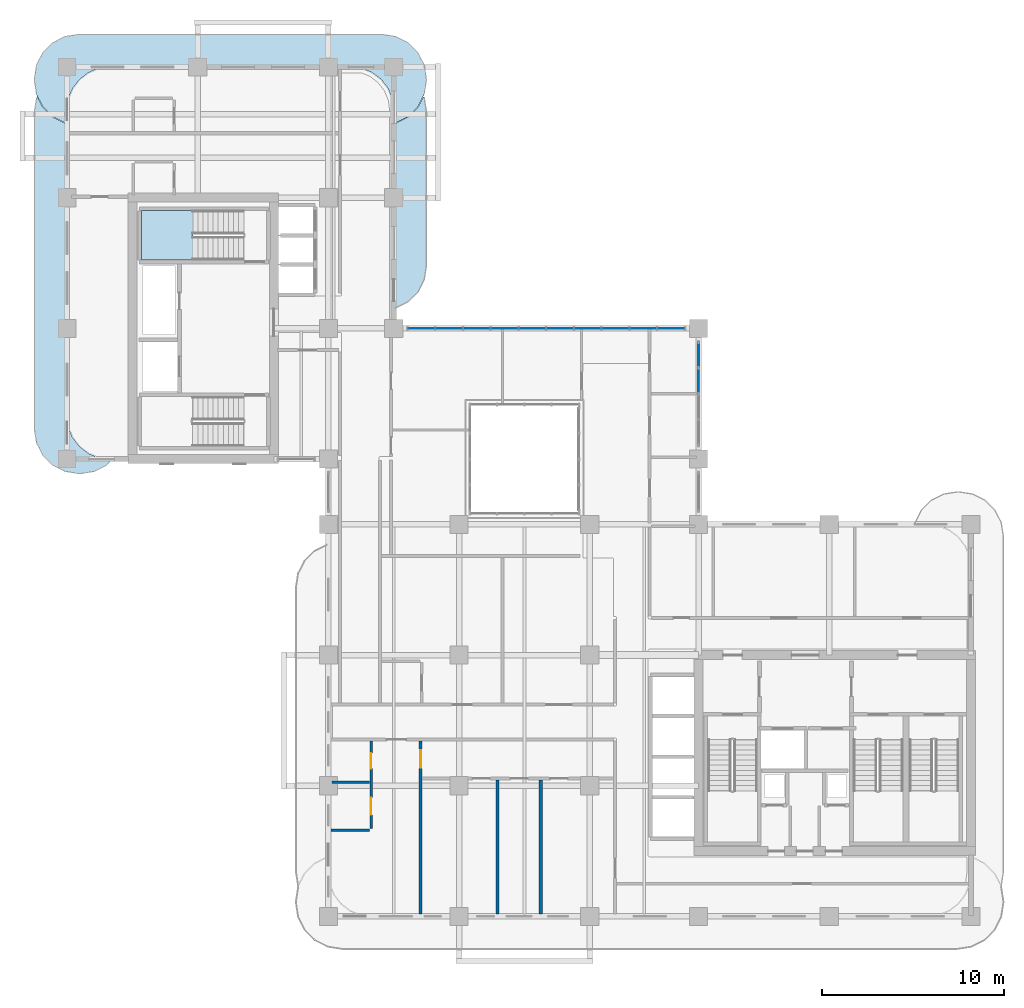
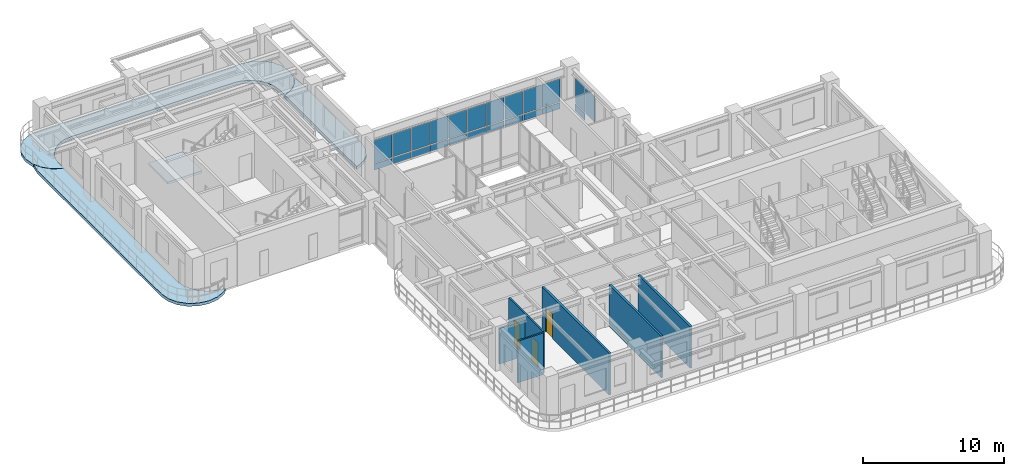
# One storey, part 10 of 20: 23 plates, 6 walls, 4 slabs, 3 doors, 3 openings, 3 elements without a shape of their own.
"""IFC4 building model written with IfcOpenShell, lengths in metres."""

from ifc_helpers import new_model, si_unit, derived_unit, direction, frame, frame_2d, origin, origin_2d, place, context, subcontext, project, spatial, polyline, rectangle, outline, extrude, source, transform, mapped, material, layer, layer_set, type_object, type_shapes, element, fill, aggregate, save


model = new_model("IFC4")

# Units and contexts
model_context = context("Model", 3, precision=1e-05, world=origin(), true_north=direction((0.0, 1.0)))
body_context = subcontext(model_context, "Body", "Model", "MODEL_VIEW")
ifc_project = project(units=[si_unit("LENGTHUNIT", "METRE"), si_unit("AREAUNIT", "SQUARE_METRE"), si_unit("VOLUMEUNIT", "CUBIC_METRE"), si_unit("PLANEANGLEUNIT", "RADIAN"), si_unit("MASSUNIT", "GRAM", prefix="KILO"), si_unit("THERMODYNAMICTEMPERATUREUNIT", "KELVIN"), si_unit("POWERUNIT", "WATT"), derived_unit("THERMALTRANSMITTANCEUNIT", [(si_unit("POWERUNIT", "WATT"), 1), (si_unit("AREAUNIT", "SQUARE_METRE"), -1), (si_unit("THERMODYNAMICTEMPERATUREUNIT", "KELVIN"), -1)])], contexts=[model_context])

# Site, building, storey
site_placement = place(None, origin())
site = spatial("IfcSite", under=ifc_project, at=site_placement, CompositionType="ELEMENT")
building_placement = place(site_placement, origin())
building = spatial("IfcBuilding", under=site, at=building_placement, Name="Zahravan Archway Hotel and Residences", CompositionType="ELEMENT")
storey_placement = place(building_placement, frame((0.0, 0.0, 173.39990234375)))
storey = spatial("IfcBuildingStorey", under=building, at=storey_placement, Name="L43", CompositionType="ELEMENT", Elevation=173.39990234375)

# Slabs
ifc_material_1 = material(Name="Concrete C45/55", Category="concrete")
ifc_layer_1 = layer(ifc_material_1, 0.25, Name="Concrete C45/55", Category="concrete")
ifc_layer_set_1 = layer_set([ifc_layer_1], Name="Concrete C45/55")
slab_type_1 = type_object("IfcSlabType", Name="SLB-BALC-250", PredefinedType="FLOOR", material=ifc_layer_set_1)
slab_1_placement = place(storey_placement, frame((0.0, 0.0, -0.25)))
element("IfcSlab", 1, at=slab_1_placement, inside=storey, type_object=slab_type_1, Name="L43 Wing B North Rounded Balcony Band", PredefinedType="FLOOR", context=body_context, shape_type="SweptSolid", body=[
    extrude(outline(polyline([(-0.107177734375, 43.719970703125), (-0.7900390625, 44.06787109375), (-1.33203125, 44.60986328125), (-1.68017578125, 45.29296875), (-1.800048828125, 46.050048828125), (-1.800048828125, 46.14990234375), (-1.68017578125, 46.906982421875), (-1.33203125, 47.590087890625), (-0.7900390625, 48.132080078125), (-0.107177734375, 48.47998046875), (0.64990234375, 48.60009765625), (17.35009765625, 48.60009765625), (18.107177734375, 48.47998046875), (18.7900390625, 48.132080078125), (19.33203125, 47.590087890625), (19.68017578125, 46.906982421875), (19.800048828125, 46.14990234375), (19.800048828125, 46.050048828125), (19.68017578125, 45.29296875), (19.33203125, 44.60986328125), (18.7900390625, 44.06787109375), (18.107177734375, 43.719970703125), (18.02001953125, 43.7060546875), (18.02001953125, 44.39990234375), (18.019775390625, 44.402587890625), (17.93798828125, 45.023681640625), (17.937744140625, 45.025390625), (17.937255859375, 45.027099609375), (17.936767578125, 45.02880859375), (17.697021484375, 45.607666015625), (17.6962890625, 45.609130859375), (17.6953125, 45.610595703125), (17.6943359375, 45.6123046875), (17.31298828125, 46.109375), (17.311767578125, 46.110595703125), (17.310546875, 46.11181640625), (17.309326171875, 46.113037109375), (16.812255859375, 46.494384765625), (16.810791015625, 46.495361328125), (16.80908203125, 46.49609375), (16.8076171875, 46.4970703125), (16.22900390625, 46.73681640625), (16.227294921875, 46.7373046875), (16.2255859375, 46.73779296875), (16.223876953125, 46.738037109375), (15.6025390625, 46.81982421875), (15.60009765625, 46.820068359375), (2.39990234375, 46.820068359375), (2.3974609375, 46.81982421875), (1.776123046875, 46.738037109375), (1.7744140625, 46.73779296875), (1.772705078125, 46.7373046875), (1.77099609375, 46.73681640625), (1.1923828125, 46.4970703125), (1.19091796875, 46.49609375), (1.189208984375, 46.495361328125), (1.187744140625, 46.494384765625), (0.690673828125, 46.113037109375), (0.689453125, 46.11181640625), (0.688232421875, 46.110595703125), (0.68701171875, 46.109375), (0.3056640625, 45.6123046875), (0.3046875, 45.610595703125), (0.3037109375, 45.609130859375), (0.302978515625, 45.607666015625), (0.063232421875, 45.02880859375), (0.062744140625, 45.027099609375), (0.062255859375, 45.025390625), (0.06201171875, 45.023681640625), (-0.019775390625, 44.402587890625), (-0.02001953125, 44.39990234375), (-0.02001953125, 43.7060546875), (-0.107177734375, 43.719970703125)])), origin(), (0.0, 0.0, 1.0), 0.25),
])
slab_2_placement = place(storey_placement, frame((0.0, 0.0, -0.25)))
element("IfcSlab", 2, at=slab_2_placement, inside=storey, type_object=slab_type_1, Name="L43 Wing B West Rounded Balcony Band", PredefinedType="FLOOR", context=body_context, shape_type="SweptSolid", body=[
    extrude(outline(polyline([(2.190185546875, 24.867919921875), (1.507080078125, 24.52001953125), (0.75, 24.39990234375), (0.64990234375, 24.39990234375), (-0.107177734375, 24.52001953125), (-0.7900390625, 24.867919921875), (-1.33203125, 25.409912109375), (-1.68017578125, 26.093017578125), (-1.800048828125, 26.85009765625), (-1.800048828125, 44.35009765625), (-1.68017578125, 45.107177734375), (-1.64404296875, 45.177978515625), (-1.349853515625, 44.600830078125), (-1.348876953125, 44.59912109375), (-1.34765625, 44.597412109375), (-1.34619140625, 44.595703125), (-0.80419921875, 44.0537109375), (-0.802734375, 44.052490234375), (-0.801025390625, 44.051025390625), (-0.79931640625, 44.050048828125), (-0.1162109375, 43.7021484375), (-0.1142578125, 43.701171875), (-0.1123046875, 43.70068359375), (-0.110107421875, 43.7001953125), (-0.023193359375, 43.686279296875), (-0.021240234375, 43.68603515625), (-0.02001953125, 43.68603515625), (-0.02001953125, 27.60009765625), (-0.019775390625, 27.597412109375), (0.06201171875, 26.976318359375), (0.062255859375, 26.974609375), (0.062744140625, 26.972900390625), (0.063232421875, 26.97119140625), (0.302978515625, 26.392333984375), (0.3037109375, 26.390869140625), (0.3046875, 26.389404296875), (0.3056640625, 26.3876953125), (0.68701171875, 25.890625), (0.688232421875, 25.889404296875), (0.689453125, 25.88818359375), (0.690673828125, 25.886962890625), (1.187744140625, 25.505615234375), (1.189208984375, 25.504638671875), (1.19091796875, 25.50390625), (1.1923828125, 25.5029296875), (1.77099609375, 25.26318359375), (1.772705078125, 25.2626953125), (1.7744140625, 25.26220703125), (1.776123046875, 25.261962890625), (2.3974609375, 25.18017578125), (2.39990234375, 25.179931640625), (2.502197265625, 25.179931640625), (2.190185546875, 24.867919921875)])), origin(), (0.0, 0.0, 1.0), 0.25),
])
slab_3_placement = place(storey_placement, frame((0.0, 0.0, -0.25)))
element("IfcSlab", 3, at=slab_3_placement, inside=storey, type_object=slab_type_1, Name="L43 Wing B East Rounded Balcony Band", PredefinedType="FLOOR", context=body_context, shape_type="SweptSolid", body=[
    extrude(outline(polyline([(19.68017578125, 45.107177734375), (19.800048828125, 44.35009765625), (19.800048828125, 35.85009765625), (19.68017578125, 35.093017578125), (19.33203125, 34.409912109375), (18.7900390625, 33.867919921875), (18.107177734375, 33.52001953125), (18.02001953125, 33.506103515625), (18.02001953125, 43.68603515625), (18.021240234375, 43.68603515625), (18.023193359375, 43.686279296875), (18.110107421875, 43.7001953125), (18.1123046875, 43.70068359375), (18.1142578125, 43.701171875), (18.1162109375, 43.7021484375), (18.79931640625, 44.050048828125), (18.801025390625, 44.051025390625), (18.802734375, 44.052490234375), (18.80419921875, 44.0537109375), (19.34619140625, 44.595703125), (19.34765625, 44.597412109375), (19.348876953125, 44.59912109375), (19.349853515625, 44.600830078125), (19.64404296875, 45.177978515625), (19.68017578125, 45.107177734375)])), origin(), (0.0, 0.0, 1.0), 0.25),
])

# Stair, slab
ifc_material_2 = material(Name="Concrete C50/60", Category="concrete")
stair_type = type_object("IfcStairType", Name="STR-CORE-1300", PredefinedType="HALF_TURN_STAIR", material=ifc_material_2)
stair_placement = place(storey_placement, origin())
stair = element("IfcStair", 4, at=stair_placement, inside=storey, type_object=stair_type, Name="L43 Core B Exit Stair 2", PredefinedType="HALF_TURN_STAIR")
ifc_layer_2 = layer(ifc_material_2, 0.199951171875, Name="Concrete C50/60", Category="concrete")
ifc_layer_set_2 = layer_set([ifc_layer_2], Name="Concrete C50/60")
slab_type_2 = type_object("IfcSlabType", Name="SLB-LND-200", PredefinedType="LANDING", material=ifc_layer_set_2)
slab_4_placement = place(storey_placement, frame((0.0, 0.0, 1.72509765625)))
slab_4 = element("IfcSlab", 5, at=slab_4_placement, type_object=slab_type_2, Name="ST-B2 landing 1", PredefinedType="LANDING", context=body_context, shape_type="SweptSolid", body=[
    extrude(outline(polyline([(6.929931640625, 38.89990234375), (4.10009765625, 38.89990234375), (4.10009765625, 36.159912109375), (6.929931640625, 36.159912109375), (6.929931640625, 38.89990234375)])), origin(), (0.0, 0.0, 1.0), 0.199951171875),
])
aggregate(stair, [slab_4])

# Curtain wall, plates
ifc_material_3 = material(Name="Bronze-Anodized Unitised Aluminium & Low-E Glass", Category="aluminium")
ifc_layer_3 = layer(ifc_material_3, 0.179931640625, Name="Bronze-Anodized Unitised Aluminium & Low-E Glass", Category="aluminium")
ifc_layer_set_3 = layer_set([ifc_layer_3], Name="Bronze-Anodized Unitised Aluminium & Low-E Glass")
curtain_wall_type = type_object("IfcCurtainWallType", Name="CW-ATR-GLAZ", PredefinedType="NOTDEFINED", material=ifc_layer_set_3)
curtain_wall_1_placement = place(storey_placement, origin())
curtain_wall_1 = element("IfcCurtainWall", 6, at=curtain_wall_1_placement, inside=storey, type_object=curtain_wall_type, Name="L43 Curtain Wall CW-L43-HNG-N-1", PredefinedType="NOTDEFINED")
ifc_material_4 = material(Name="Insulated Terracotta Spandrel Panel", Category="masonry")
ifc_layer_4 = layer(ifc_material_4, 0.0400390625, Name="Insulated Terracotta Spandrel Panel", Category="masonry")
ifc_layer_set_4 = layer_set([ifc_layer_4], Name="Insulated Terracotta Spandrel Panel")
plate_type_1 = type_object("IfcPlateType", Name="CWP-SPN-40", PredefinedType="SHEET", material=ifc_layer_set_4)
shared_shape_1 = source(origin(), body_context, "Body", "SweptSolid", [
    extrude(rectangle(XDim=1.447998046875, YDim=0.0400390625, at=origin_2d()), origin(), (0.0, 0.0, 1.0), 0.5283203125),
])
plate_1_placement = place(storey_placement, frame((19.52392578125, 32.39990234375, 0.10009765625), z_axis=(0.0, 0.0, 1.0), x_axis=(1.0, 0.0, 0.0)))
plate_1 = element("IfcPlate", 7, at=plate_1_placement, type_object=plate_type_1, Name="CW-L43-HNG-N-1 Spandrel Panel 0", PredefinedType="SHEET", context=body_context, shape_type="MappedRepresentation", body=[
    mapped(shared_shape_1, transform((0.0, 0.0, 0.0), scale=1.0)),
])
plate_2_placement = place(storey_placement, frame((21.052001953125, 32.39990234375, 0.10009765625), z_axis=(0.0, 0.0, 1.0), x_axis=(1.0, 0.0, 0.0)))
plate_2 = element("IfcPlate", 8, at=plate_2_placement, type_object=plate_type_1, Name="CW-L43-HNG-N-1 Spandrel Panel 1", PredefinedType="SHEET", context=body_context, shape_type="MappedRepresentation", body=[
    mapped(shared_shape_1, transform((0.0, 0.0, 0.0), scale=1.0)),
])
plate_3_placement = place(storey_placement, frame((22.580078125, 32.39990234375, 0.10009765625), z_axis=(0.0, 0.0, 1.0), x_axis=(1.0, 0.0, 0.0)))
plate_3 = element("IfcPlate", 9, at=plate_3_placement, type_object=plate_type_1, Name="CW-L43-HNG-N-1 Spandrel Panel 2", PredefinedType="SHEET", context=body_context, shape_type="MappedRepresentation", body=[
    mapped(shared_shape_1, transform((0.0, 0.0, 0.0), scale=1.0)),
])
plate_4_placement = place(storey_placement, frame((24.10791015625, 32.39990234375, 0.10009765625), z_axis=(0.0, 0.0, 1.0), x_axis=(1.0, 0.0, 0.0)))
plate_4 = element("IfcPlate", 10, at=plate_4_placement, type_object=plate_type_1, Name="CW-L43-HNG-N-1 Spandrel Panel 3", PredefinedType="SHEET", context=body_context, shape_type="MappedRepresentation", body=[
    mapped(shared_shape_1, transform((0.0, 0.0, 0.0), scale=1.0)),
])
plate_5_placement = place(storey_placement, frame((25.635986328125, 32.39990234375, 0.10009765625), z_axis=(0.0, 0.0, 1.0), x_axis=(1.0, 0.0, 0.0)))
plate_5 = element("IfcPlate", 11, at=plate_5_placement, type_object=plate_type_1, Name="CW-L43-HNG-N-1 Spandrel Panel 4", PredefinedType="SHEET", context=body_context, shape_type="MappedRepresentation", body=[
    mapped(shared_shape_1, transform((0.0, 0.0, 0.0), scale=1.0)),
])
plate_6_placement = place(storey_placement, frame((27.1640625, 32.39990234375, 0.10009765625), z_axis=(0.0, 0.0, 1.0), x_axis=(1.0, 0.0, 0.0)))
plate_6 = element("IfcPlate", 12, at=plate_6_placement, type_object=plate_type_1, Name="CW-L43-HNG-N-1 Spandrel Panel 5", PredefinedType="SHEET", context=body_context, shape_type="MappedRepresentation", body=[
    mapped(shared_shape_1, transform((0.0, 0.0, 0.0), scale=1.0)),
])
plate_7_placement = place(storey_placement, frame((28.69189453125, 32.39990234375, 0.10009765625), z_axis=(0.0, 0.0, 1.0), x_axis=(1.0, 0.0, 0.0)))
plate_7 = element("IfcPlate", 13, at=plate_7_placement, type_object=plate_type_1, Name="CW-L43-HNG-N-1 Spandrel Panel 6", PredefinedType="SHEET", context=body_context, shape_type="MappedRepresentation", body=[
    mapped(shared_shape_1, transform((0.0, 0.0, 0.0), scale=1.0)),
])
plate_8_placement = place(storey_placement, frame((30.219970703125, 32.39990234375, 0.10009765625), z_axis=(0.0, 0.0, 1.0), x_axis=(1.0, 0.0, 0.0)))
plate_8 = element("IfcPlate", 14, at=plate_8_placement, type_object=plate_type_1, Name="CW-L43-HNG-N-1 Spandrel Panel 7", PredefinedType="SHEET", context=body_context, shape_type="MappedRepresentation", body=[
    mapped(shared_shape_1, transform((0.0, 0.0, 0.0), scale=1.0)),
])
plate_9_placement = place(storey_placement, frame((31.748046875, 32.39990234375, 0.10009765625), z_axis=(0.0, 0.0, 1.0), x_axis=(1.0, 0.0, 0.0)))
plate_9 = element("IfcPlate", 15, at=plate_9_placement, type_object=plate_type_1, Name="CW-L43-HNG-N-1 Spandrel Panel 8", PredefinedType="SHEET", context=body_context, shape_type="MappedRepresentation", body=[
    mapped(shared_shape_1, transform((0.0, 0.0, 0.0), scale=1.0)),
])
plate_10_placement = place(storey_placement, frame((33.27587890625, 32.39990234375, 0.10009765625), z_axis=(0.0, 0.0, 1.0), x_axis=(1.0, 0.0, 0.0)))
plate_10 = element("IfcPlate", 16, at=plate_10_placement, type_object=plate_type_1, Name="CW-L43-HNG-N-1 Spandrel Panel 9", PredefinedType="SHEET", context=body_context, shape_type="MappedRepresentation", body=[
    mapped(shared_shape_1, transform((0.0, 0.0, 0.0), scale=1.0)),
])
ifc_material_5 = material(Name="Double-Silver Low-E Insulated Vision Glass", Category="glass")
ifc_layer_5 = layer(ifc_material_5, 0.028076171875, Name="Double-Silver Low-E Insulated Vision Glass", Category="glass")
ifc_layer_set_5 = layer_set([ifc_layer_5], Name="Double-Silver Low-E Insulated Vision Glass")
plate_type_2 = type_object("IfcPlateType", Name="CWP-GLZ-28", PredefinedType="CURTAIN_PANEL", material=ifc_layer_set_5)
shared_shape_2 = source(origin(), body_context, "Body", "SweptSolid", [
    extrude(rectangle(XDim=1.447998046875, YDim=0.028076171875, at=origin_2d()), origin(), (0.0, 0.0, 1.0), 1.9765625),
])
plate_11_placement = place(storey_placement, frame((19.52392578125, 32.39990234375, 0.70849609375), z_axis=(0.0, 0.0, 1.0), x_axis=(1.0, 0.0, 0.0)))
plate_11 = element("IfcPlate", 17, at=plate_11_placement, type_object=plate_type_2, Name="CW-L43-HNG-N-1 Low-E Vision Panel 0", PredefinedType="CURTAIN_PANEL", context=body_context, shape_type="MappedRepresentation", body=[
    mapped(shared_shape_2, transform((0.0, 0.0, 0.0), scale=1.0)),
])
plate_12_placement = place(storey_placement, frame((21.052001953125, 32.39990234375, 0.70849609375), z_axis=(0.0, 0.0, 1.0), x_axis=(1.0, 0.0, 0.0)))
plate_12 = element("IfcPlate", 18, at=plate_12_placement, type_object=plate_type_2, Name="CW-L43-HNG-N-1 Low-E Vision Panel 1", PredefinedType="CURTAIN_PANEL", context=body_context, shape_type="MappedRepresentation", body=[
    mapped(shared_shape_2, transform((0.0, 0.0, 0.0), scale=1.0)),
])
plate_13_placement = place(storey_placement, frame((22.580078125, 32.39990234375, 0.70849609375), z_axis=(0.0, 0.0, 1.0), x_axis=(1.0, 0.0, 0.0)))
plate_13 = element("IfcPlate", 19, at=plate_13_placement, type_object=plate_type_2, Name="CW-L43-HNG-N-1 Low-E Vision Panel 2", PredefinedType="CURTAIN_PANEL", context=body_context, shape_type="MappedRepresentation", body=[
    mapped(shared_shape_2, transform((0.0, 0.0, 0.0), scale=1.0)),
])
plate_14_placement = place(storey_placement, frame((24.10791015625, 32.39990234375, 0.70849609375), z_axis=(0.0, 0.0, 1.0), x_axis=(1.0, 0.0, 0.0)))
plate_14 = element("IfcPlate", 20, at=plate_14_placement, type_object=plate_type_2, Name="CW-L43-HNG-N-1 Low-E Vision Panel 3", PredefinedType="CURTAIN_PANEL", context=body_context, shape_type="MappedRepresentation", body=[
    mapped(shared_shape_2, transform((0.0, 0.0, 0.0), scale=1.0)),
])
plate_15_placement = place(storey_placement, frame((25.635986328125, 32.39990234375, 0.70849609375), z_axis=(0.0, 0.0, 1.0), x_axis=(1.0, 0.0, 0.0)))
plate_15 = element("IfcPlate", 21, at=plate_15_placement, type_object=plate_type_2, Name="CW-L43-HNG-N-1 Low-E Vision Panel 4", PredefinedType="CURTAIN_PANEL", context=body_context, shape_type="MappedRepresentation", body=[
    mapped(shared_shape_2, transform((0.0, 0.0, 0.0), scale=1.0)),
])
plate_16_placement = place(storey_placement, frame((27.1640625, 32.39990234375, 0.70849609375), z_axis=(0.0, 0.0, 1.0), x_axis=(1.0, 0.0, 0.0)))
plate_16 = element("IfcPlate", 22, at=plate_16_placement, type_object=plate_type_2, Name="CW-L43-HNG-N-1 Low-E Vision Panel 5", PredefinedType="CURTAIN_PANEL", context=body_context, shape_type="MappedRepresentation", body=[
    mapped(shared_shape_2, transform((0.0, 0.0, 0.0), scale=1.0)),
])
plate_17_placement = place(storey_placement, frame((28.69189453125, 32.39990234375, 0.70849609375), z_axis=(0.0, 0.0, 1.0), x_axis=(1.0, 0.0, 0.0)))
plate_17 = element("IfcPlate", 23, at=plate_17_placement, type_object=plate_type_2, Name="CW-L43-HNG-N-1 Low-E Vision Panel 6", PredefinedType="CURTAIN_PANEL", context=body_context, shape_type="MappedRepresentation", body=[
    mapped(shared_shape_2, transform((0.0, 0.0, 0.0), scale=1.0)),
])
plate_18_placement = place(storey_placement, frame((30.219970703125, 32.39990234375, 0.70849609375), z_axis=(0.0, 0.0, 1.0), x_axis=(1.0, 0.0, 0.0)))
plate_18 = element("IfcPlate", 24, at=plate_18_placement, type_object=plate_type_2, Name="CW-L43-HNG-N-1 Low-E Vision Panel 7", PredefinedType="CURTAIN_PANEL", context=body_context, shape_type="MappedRepresentation", body=[
    mapped(shared_shape_2, transform((0.0, 0.0, 0.0), scale=1.0)),
])
plate_19_placement = place(storey_placement, frame((31.748046875, 32.39990234375, 0.70849609375), z_axis=(0.0, 0.0, 1.0), x_axis=(1.0, 0.0, 0.0)))
plate_19 = element("IfcPlate", 25, at=plate_19_placement, type_object=plate_type_2, Name="CW-L43-HNG-N-1 Low-E Vision Panel 8", PredefinedType="CURTAIN_PANEL", context=body_context, shape_type="MappedRepresentation", body=[
    mapped(shared_shape_2, transform((0.0, 0.0, 0.0), scale=1.0)),
])
plate_20_placement = place(storey_placement, frame((33.27587890625, 32.39990234375, 0.70849609375), z_axis=(0.0, 0.0, 1.0), x_axis=(1.0, 0.0, 0.0)))
plate_20 = element("IfcPlate", 26, at=plate_20_placement, type_object=plate_type_2, Name="CW-L43-HNG-N-1 Low-E Vision Panel 9", PredefinedType="CURTAIN_PANEL", context=body_context, shape_type="MappedRepresentation", body=[
    mapped(shared_shape_2, transform((0.0, 0.0, 0.0), scale=1.0)),
])
aggregate(curtain_wall_1, [plate_1, plate_11, plate_2, plate_12, plate_3, plate_13, plate_4, plate_14, plate_5, plate_15, plate_6, plate_16, plate_7, plate_17, plate_8, plate_18, plate_9, plate_19, plate_10, plate_20])

curtain_wall_2_placement = place(storey_placement, origin())
curtain_wall_2 = element("IfcCurtainWall", 27, at=curtain_wall_2_placement, inside=storey, type_object=curtain_wall_type, Name="L43 Curtain Wall CW-L43-HNG-E-2", PredefinedType="NOTDEFINED")
shared_shape_3 = source(origin(), body_context, "Body", "SweptSolid", [
    extrude(rectangle(XDim=1.340087890625, YDim=0.0400390625, at=origin_2d()), origin(), (0.0, 0.0, 1.0), 0.600341796875),
])
plate_21_placement = place(storey_placement, frame((34.800048828125, 30.929931640625, 0.10009765625), z_axis=(0.0, 0.0, 1.0), x_axis=(0.0, 1.0, 0.0)))
plate_21 = element("IfcPlate", 28, at=plate_21_placement, type_object=plate_type_1, Name="CW-L43-HNG-E-2 Spandrel Panel 3", PredefinedType="SHEET", context=body_context, shape_type="MappedRepresentation", body=[
    mapped(shared_shape_3, transform((0.0, 0.0, 0.0), scale=1.0)),
])
shared_shape_4 = source(origin(), body_context, "Body", "SweptSolid", [
    extrude(rectangle(XDim=1.340087890625, YDim=0.028076171875, at=origin_2d()), origin(), (0.0, 0.0, 1.0), 2.20458984375),
])
plate_22_placement = place(storey_placement, frame((34.800048828125, 29.510009765625, 0.780517578125), z_axis=(0.0, 0.0, 1.0), x_axis=(0.0, 1.0, 0.0)))
plate_22 = element("IfcPlate", 29, at=plate_22_placement, type_object=plate_type_2, Name="CW-L43-HNG-E-2 Low-E Vision Panel 2", PredefinedType="CURTAIN_PANEL", context=body_context, shape_type="MappedRepresentation", body=[
    mapped(shared_shape_4, transform((0.0, 0.0, 0.0), scale=1.0)),
])
plate_23_placement = place(storey_placement, frame((34.800048828125, 30.929931640625, 0.780517578125), z_axis=(0.0, 0.0, 1.0), x_axis=(0.0, 1.0, 0.0)))
plate_23 = element("IfcPlate", 30, at=plate_23_placement, type_object=plate_type_2, Name="CW-L43-HNG-E-2 Low-E Vision Panel 3", PredefinedType="CURTAIN_PANEL", context=body_context, shape_type="MappedRepresentation", body=[
    mapped(shared_shape_4, transform((0.0, 0.0, 0.0), scale=1.0)),
])
aggregate(curtain_wall_2, [plate_22, plate_21, plate_23])

# Wall, opening, door
ifc_material_6 = material(Name="Acoustic Stud Partition")
ifc_layer_6 = layer(ifc_material_6, 0.169921875, Name="Acoustic Stud Partition")
ifc_layer_set_6 = layer_set([ifc_layer_6], Name="Acoustic Stud Partition")
wall_type_1 = type_object("IfcWallType", Name="PW-UNIT-170", PredefinedType="PARTITIONING", material=ifc_layer_set_6)
wall_1_placement = place(storey_placement, frame((19.47998046875, 0.14794921875, 0.0), z_axis=(0.0, 0.0, 1.0), x_axis=(0.0, 1.0, 0.0)))
wall_1 = element("IfcWall", 31, at=wall_1_placement, inside=storey, type_object=wall_type_1, Name="L43 Partition FL-S1-SP", PredefinedType="PARTITIONING", context=body_context, shape_type="SweptSolid", body=[
    extrude(rectangle(XDim=9.511962890625, YDim=0.169921875, at=frame_2d((4.755859375, 0.0))), origin(), (0.0, 0.0, 1.0), 3.60009765625),
])
opening_1_placement = place(wall_1_placement, frame((8.052001953125, 0.0, 0.0)))
opening_1 = element("IfcOpeningElement", 32, at=opening_1_placement, cuts=wall_1, Name="Opening D-I1", PredefinedType="OPENING", context=body_context, shape_type="SweptSolid", body=[
    extrude(rectangle(XDim=0.949951171875, YDim=2.14990234375, at=frame_2d((0.47509765625, 1.074951171875))), frame((0.0, 0.094970703125, 0.0), z_axis=(0.0, -1.0, 0.0), x_axis=(1.0, 0.0, 0.0)), (0.0, 0.0, 1.0), 0.18994140625),
])
ifc_material_7 = material(Name="Hardwood Veneer Timber", Category="wood")
door_type_1 = type_object("IfcDoorType", Name="ID-INT-950", OperationType="NOTDEFINED", PredefinedType="DOOR", material=ifc_material_7)
shared_shape_5 = source(origin(), body_context, "Body", "SweptSolid", [
    extrude(rectangle(XDim=0.949951171875, YDim=2.14990234375, at=frame_2d((0.47509765625, 1.074951171875))), frame((0.0, 0.02490234375, 0.0), z_axis=(0.0, -1.0, 0.0), x_axis=(1.0, 0.0, 0.0)), (0.0, 0.0, 1.0), 0.050048828125),
])
type_shapes(door_type_1, [shared_shape_5])
door_1_placement = place(opening_1_placement, origin())
door_1 = element("IfcDoor", 33, at=door_1_placement, inside=storey, type_object=door_type_1, Name="L43 Flat S1 Bedroom Hall Door", OperationType="SINGLE_SWING_RIGHT", OverallHeight=2.14990234375, OverallWidth=0.949951171875, PredefinedType="DOOR", context=body_context, shape_type="MappedRepresentation", body=[
    mapped(shared_shape_5, transform((0.0, 0.0, 0.0), scale=1.0)),
])
fill(opening_1, door_1)

# Walls
for number, where, z_axis, x_axis, name in (
    (34, (23.719970703125, 0.14794921875, 0.0), (0.0, 0.0, 1.0), (0.0, 1.0, 0.0), "L43 Partition FL-S1-BD1"),
    (35, (26.10009765625, 0.14794921875, 0.0), (0.0, 0.0, 1.0), (0.0, 1.0, 0.0), "L43 Partition FL-S1-BD2"),
):
    element("IfcWall", number, at=place(storey_placement, frame(where, z_axis=z_axis, x_axis=x_axis)), inside=storey, type_object=wall_type_1, Name=name, PredefinedType="PARTITIONING", context=body_context, shape_type="SweptSolid", body=[
        extrude(rectangle(XDim=7.362060546875, YDim=0.169921875, at=frame_2d((3.68115234375, 0.0))), origin(), (0.0, 0.0, 1.0), 3.60009765625),
    ])

# Wall, openings, doors
ifc_material_8 = material(Name="Moisture-Resistant Blockwork", Category="masonry")
ifc_layer_7 = layer(ifc_material_8, 0.139892578125, Name="Moisture-Resistant Blockwork", Category="masonry")
ifc_layer_set_7 = layer_set([ifc_layer_7], Name="Moisture-Resistant Blockwork")
wall_type_2 = type_object("IfcWallType", Name="PW-WET-140", PredefinedType="PARTITIONING", material=ifc_layer_set_7)
wall_2_placement = place(storey_placement, frame((16.75, 4.840087890625, 0.0), z_axis=(0.0, 0.0, 1.0), x_axis=(0.0, 1.0, 0.0)))
wall_2 = element("IfcWall", 36, at=wall_2_placement, inside=storey, type_object=wall_type_2, Name="L43 Partition FL-S1-BV", PredefinedType="PARTITIONING", context=body_context, shape_type="SweptSolid", body=[
    extrude(rectangle(XDim=4.81982421875, YDim=0.139892578125, at=frame_2d((2.409912109375, 0.0))), origin(), (0.0, 0.0, 1.0), 3.60009765625),
])
opening_2_placement = place(wall_2_placement, frame((0.760009765625, 0.0, 0.0)))
opening_2 = element("IfcOpeningElement", 37, at=opening_2_placement, cuts=wall_2, Name="Opening D-I1", PredefinedType="OPENING", context=body_context, shape_type="SweptSolid", body=[
    extrude(rectangle(XDim=0.949951171875, YDim=2.14990234375, at=frame_2d((0.47509765625, 1.074951171875))), frame((0.0, 0.080078125, 0.0), z_axis=(0.0, -1.0, 0.0), x_axis=(1.0, 0.0, 0.0)), (0.0, 0.0, 1.0), 0.159912109375),
])
opening_3_placement = place(wall_2_placement, frame((3.31005859375, 0.0, 0.0)))
opening_3 = element("IfcOpeningElement", 38, at=opening_3_placement, cuts=wall_2, Name="Opening D-B1", PredefinedType="OPENING", context=body_context, shape_type="SweptSolid", body=[
    extrude(rectangle(XDim=0.85009765625, YDim=2.10009765625, at=frame_2d((0.425048828125, 1.050048828125))), frame((0.0, 0.080078125, 0.0), z_axis=(0.0, -1.0, 0.0), x_axis=(1.0, 0.0, 0.0)), (0.0, 0.0, 1.0), 0.159912109375),
])
door_type_2 = type_object("IfcDoorType", Name="ID-BATH-850", OperationType="NOTDEFINED", PredefinedType="DOOR", material=ifc_material_7)
shared_shape_6 = source(origin(), body_context, "Body", "SweptSolid", [
    extrude(rectangle(XDim=0.85009765625, YDim=2.10009765625, at=frame_2d((0.425048828125, 1.050048828125))), frame((0.0, 0.02490234375, 0.0), z_axis=(0.0, -1.0, 0.0), x_axis=(1.0, 0.0, 0.0)), (0.0, 0.0, 1.0), 0.050048828125),
])
type_shapes(door_type_2, [shared_shape_6])
door_2_placement = place(opening_3_placement, origin())
door_2 = element("IfcDoor", 39, at=door_2_placement, inside=storey, type_object=door_type_2, Name="L43 Flat S1 Bathroom Door", OperationType="SINGLE_SWING_RIGHT", OverallHeight=2.10009765625, OverallWidth=0.85009765625, PredefinedType="DOOR", context=body_context, shape_type="MappedRepresentation", body=[
    mapped(shared_shape_6, transform((0.0, 0.0, 0.0), scale=1.0)),
])
fill(opening_3, door_2)
door_3_placement = place(opening_2_placement, origin())
door_3 = element("IfcDoor", 40, at=door_3_placement, inside=storey, type_object=door_type_1, Name="L43 Flat S1 Kitchen Door", OperationType="SINGLE_SWING_LEFT", OverallHeight=2.14990234375, OverallWidth=0.949951171875, PredefinedType="DOOR", context=body_context, shape_type="MappedRepresentation", body=[
    mapped(shared_shape_5, transform((0.0, 0.0, 0.0), scale=1.0)),
])
fill(opening_2, door_3)

# Walls
wall_3_placement = place(storey_placement, frame((14.590087890625, 7.39990234375, 0.0), z_axis=(0.0, 0.0, 1.0), x_axis=(1.0, 0.0, 0.0)))
element("IfcWall", 41, at=wall_3_placement, inside=storey, type_object=wall_type_2, Name="L43 Partition FL-S1-BM", PredefinedType="PARTITIONING", context=body_context, shape_type="SweptSolid", body=[
    extrude(rectangle(XDim=2.06982421875, YDim=0.139892578125, at=frame_2d((1.034912109375, 0.0))), origin(), (0.0, 0.0, 1.0), 3.085205078125),
])
wall_4_placement = place(storey_placement, frame((14.548095703125, 4.75, 0.0), z_axis=(0.0, 0.0, 1.0), x_axis=(1.0, 0.0, 0.0)))
element("IfcWall", 42, at=wall_4_placement, inside=storey, type_object=wall_type_2, Name="L43 Partition FL-S1-KH", PredefinedType="PARTITIONING", context=body_context, shape_type="SweptSolid", body=[
    extrude(rectangle(XDim=2.11181640625, YDim=0.139892578125, at=frame_2d((1.055908203125, 0.0))), origin(), (0.0, 0.0, 1.0), 3.60009765625),
])

save(model, "model.ifc")
